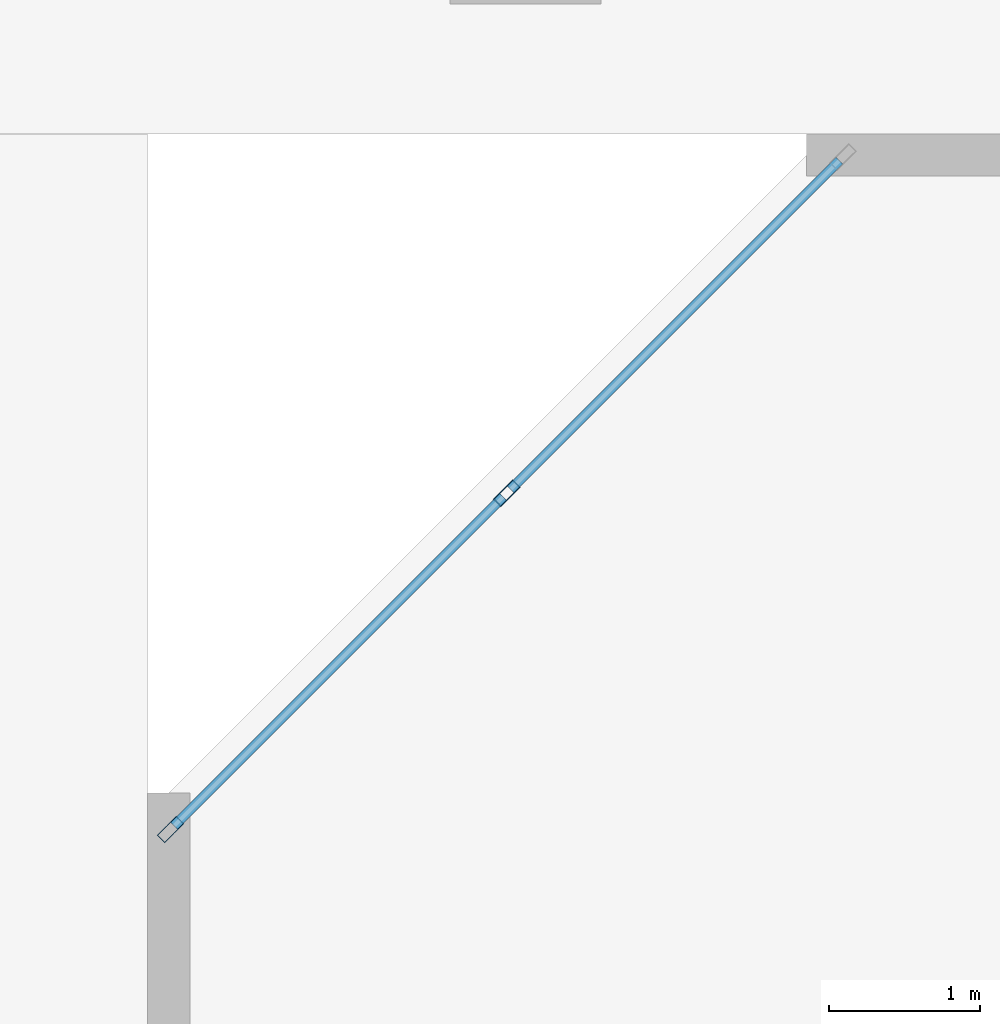
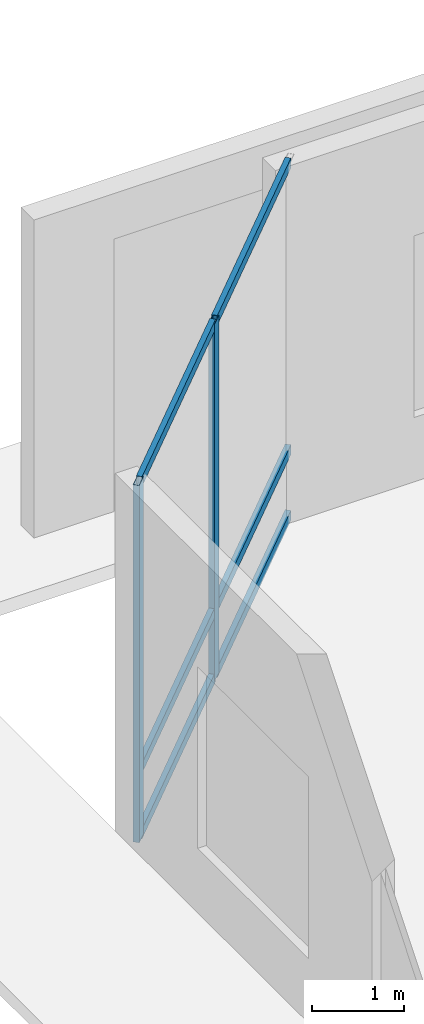
# One storey, part 4 of 23: 8 members, 1 element without a shape of its own.
"""IFC4 building model written with IfcOpenShell, lengths in metres."""

from ifc_helpers import new_model, si_unit, direction, frame, origin, origin_2d, place, context, subcontext, project, spatial, hollow_rectangle, extrude, material, layer, layer_set, material_profile, profile_set, type_object, element, aggregate, save


model = new_model("IFC4")

# Units and contexts
model_context = context("Model", 3, precision=1e-05, world=origin(), true_north=direction((0.0, 1.0)))
body_context = subcontext(model_context, "Body", "Model", "MODEL_VIEW")
ifc_project = project(units=[si_unit("LENGTHUNIT", "METRE"), si_unit("AREAUNIT", "SQUARE_METRE"), si_unit("VOLUMEUNIT", "CUBIC_METRE"), si_unit("PLANEANGLEUNIT", "RADIAN"), si_unit("MASSUNIT", "GRAM", prefix="KILO")], contexts=[model_context])

# Site, building, storey
site_placement = place(None, origin())
site = spatial("IfcSite", under=ifc_project, at=site_placement, CompositionType="ELEMENT")
building_placement = place(site_placement, origin())
building = spatial("IfcBuilding", under=site, at=building_placement, Name="Caelvoria Tower", CompositionType="ELEMENT")
storey_placement = place(building_placement, origin())
storey = spatial("IfcBuildingStorey", under=building, at=storey_placement, Name="L00", CompositionType="ELEMENT", Elevation=0.0)

# Curtain wall, members
ifc_material_1 = material(Name="Anodised Bronze Aluminium and Low-E Glass", Category="aluminium")
ifc_layer = layer(ifc_material_1, 0.199951171875, Name="Anodised Bronze Aluminium and Low-E Glass")
ifc_layer_set = layer_set([ifc_layer], Name="CW System 1 Podium Arcade Unitised Glazing - Anodised Bronze Aluminium and Low-E Glass")
curtain_wall_type = type_object("IfcCurtainWallType", Name="CW System 1 Podium Arcade Unitised Glazing", PredefinedType="NOTDEFINED", material=ifc_layer_set)
curtain_wall_placement = place(storey_placement, origin())
curtain_wall = element("IfcCurtainWall", 1, at=curtain_wall_placement, inside=storey, type_object=curtain_wall_type, Name="CW-01 Curtain Wall L00-E5", PredefinedType="NOTDEFINED")
ifc_material_2 = material(Name="Anodised Bronze Architectural Aluminium", Category="aluminium")
ifc_material_profile_1 = material_profile(ifc_material_2, hollow_rectangle(XDim=0.070068359375, YDim=0.179931640625, WallThickness=0.00390625, at=origin_2d()), Name="Anodised Bronze Architectural Aluminium")
ifc_profile_set_1 = profile_set([ifc_material_profile_1], Name="CW_MULL_70X180 - Anodised Bronze Architectural Aluminium")
member_type_1 = type_object("IfcMemberType", Name="Curtain Wall Mullion 70x180 Bronze Aluminium", PredefinedType="MULLION", material=ifc_profile_set_1)
member_1_placement = place(storey_placement, frame((4.377197265625, 59.622802734375, 0.0), z_axis=(0.0, 0.0, 1.0), x_axis=(0.707106781187, -0.707106781187, 0.0)))
member_1 = element("IfcMember", 2, at=member_1_placement, type_object=member_type_1, Name="CW-01 mullion 2", PredefinedType="MULLION", context=body_context, shape_type="SweptSolid", body=[
    extrude(hollow_rectangle(XDim=0.070068359375, YDim=0.179931640625, WallThickness=0.00390625, at=origin_2d()), origin(), (0.0, 0.0, 1.0), 4.719970703125),
])
member_2_placement = place(storey_placement, frame((2.152099609375, 57.3974609375, 0.0), z_axis=(0.0, 0.0, 1.0), x_axis=(0.707106781187, -0.707106781187, 0.0)))
member_2 = element("IfcMember", 3, at=member_2_placement, type_object=member_type_1, Name="CW-01 mullion 3", PredefinedType="MULLION", context=body_context, shape_type="SweptSolid", body=[
    extrude(hollow_rectangle(XDim=0.070068359375, YDim=0.179931640625, WallThickness=0.00390625, at=origin_2d()), origin(), (0.0, 0.0, 1.0), 4.719970703125),
])
ifc_material_profile_2 = material_profile(ifc_material_2, hollow_rectangle(XDim=0.06494140625, YDim=0.1298828125, WallThickness=0.00341796875, at=origin_2d()), Name="Anodised Bronze Architectural Aluminium")
ifc_profile_set_2 = profile_set([ifc_material_profile_2], Name="CW_TRAN_65X130 - Anodised Bronze Architectural Aluminium")
member_type_2 = type_object("IfcMemberType", Name="Curtain Wall Transom 65x130 Bronze Aluminium", PredefinedType="USERDEFINED", material=ifc_profile_set_2)
member_3_placement = place(storey_placement, frame((6.577880859375, 61.8232421875, 0.032470703125), z_axis=(-0.707106781187, -0.707106781187, 0.0), x_axis=(0.707106781187, -0.707106781187, 0.0)))
member_3 = element("IfcMember", 4, at=member_3_placement, type_object=member_type_2, Name="CW-01 transom 1.1", ObjectType="TRANSOM", PredefinedType="USERDEFINED", context=body_context, shape_type="SweptSolid", body=[
    extrude(hollow_rectangle(XDim=0.06494140625, YDim=0.1298828125, WallThickness=0.00341796875, at=origin_2d()), origin(), (0.0, 0.0, 1.0), 3.076904296875),
])
member_4_placement = place(storey_placement, frame((6.577880859375, 61.8232421875, 0.89990234375), z_axis=(-0.707106781187, -0.707106781187, 0.0), x_axis=(0.707106781187, -0.707106781187, 0.0)))
member_4 = element("IfcMember", 5, at=member_4_placement, type_object=member_type_2, Name="CW-01 transom 1.2", ObjectType="TRANSOM", PredefinedType="USERDEFINED", context=body_context, shape_type="SweptSolid", body=[
    extrude(hollow_rectangle(XDim=0.06494140625, YDim=0.1298828125, WallThickness=0.00341796875, at=origin_2d()), origin(), (0.0, 0.0, 1.0), 3.076904296875),
])
member_5_placement = place(storey_placement, frame((6.577880859375, 61.8232421875, 4.6875), z_axis=(-0.707106781187, -0.707106781187, 0.0), x_axis=(0.707106781187, -0.707106781187, 0.0)))
member_5 = element("IfcMember", 6, at=member_5_placement, type_object=member_type_2, Name="CW-01 transom 1.3", ObjectType="TRANSOM", PredefinedType="USERDEFINED", context=body_context, shape_type="SweptSolid", body=[
    extrude(hollow_rectangle(XDim=0.06494140625, YDim=0.1298828125, WallThickness=0.00341796875, at=origin_2d()), origin(), (0.0, 0.0, 1.0), 3.076904296875),
])
member_6_placement = place(storey_placement, frame((4.3525390625, 59.597900390625, 0.032470703125), z_axis=(-0.707106781187, -0.707106781187, 0.0), x_axis=(0.707106781187, -0.707106781187, 0.0)))
member_6 = element("IfcMember", 7, at=member_6_placement, type_object=member_type_2, Name="CW-01 transom 2.1", ObjectType="TRANSOM", PredefinedType="USERDEFINED", context=body_context, shape_type="SweptSolid", body=[
    extrude(hollow_rectangle(XDim=0.06494140625, YDim=0.1298828125, WallThickness=0.00341796875, at=origin_2d()), origin(), (0.0, 0.0, 1.0), 3.076904296875),
])
member_7_placement = place(storey_placement, frame((4.3525390625, 59.597900390625, 0.89990234375), z_axis=(-0.707106781187, -0.707106781187, 0.0), x_axis=(0.707106781187, -0.707106781187, 0.0)))
member_7 = element("IfcMember", 8, at=member_7_placement, type_object=member_type_2, Name="CW-01 transom 2.2", ObjectType="TRANSOM", PredefinedType="USERDEFINED", context=body_context, shape_type="SweptSolid", body=[
    extrude(hollow_rectangle(XDim=0.06494140625, YDim=0.1298828125, WallThickness=0.00341796875, at=origin_2d()), origin(), (0.0, 0.0, 1.0), 3.076904296875),
])
member_8_placement = place(storey_placement, frame((4.3525390625, 59.597900390625, 4.6875), z_axis=(-0.707106781187, -0.707106781187, 0.0), x_axis=(0.707106781187, -0.707106781187, 0.0)))
member_8 = element("IfcMember", 9, at=member_8_placement, type_object=member_type_2, Name="CW-01 transom 2.3", ObjectType="TRANSOM", PredefinedType="USERDEFINED", context=body_context, shape_type="SweptSolid", body=[
    extrude(hollow_rectangle(XDim=0.06494140625, YDim=0.1298828125, WallThickness=0.00341796875, at=origin_2d()), origin(), (0.0, 0.0, 1.0), 3.076904296875),
])
aggregate(curtain_wall, [member_1, member_2, member_3, member_4, member_5, member_6, member_7, member_8])

save(model, "model.ifc")
